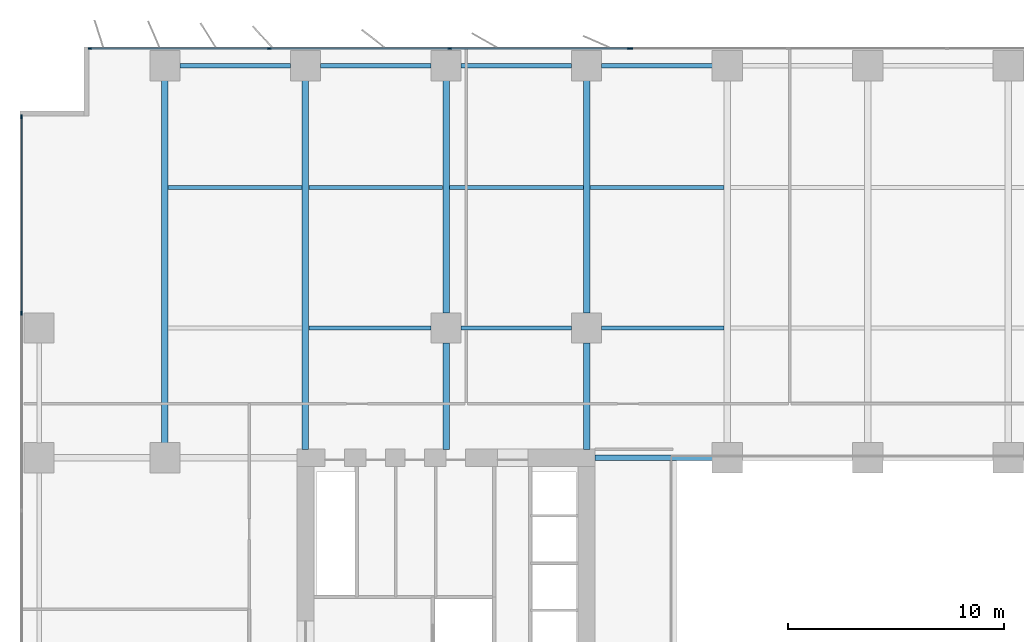
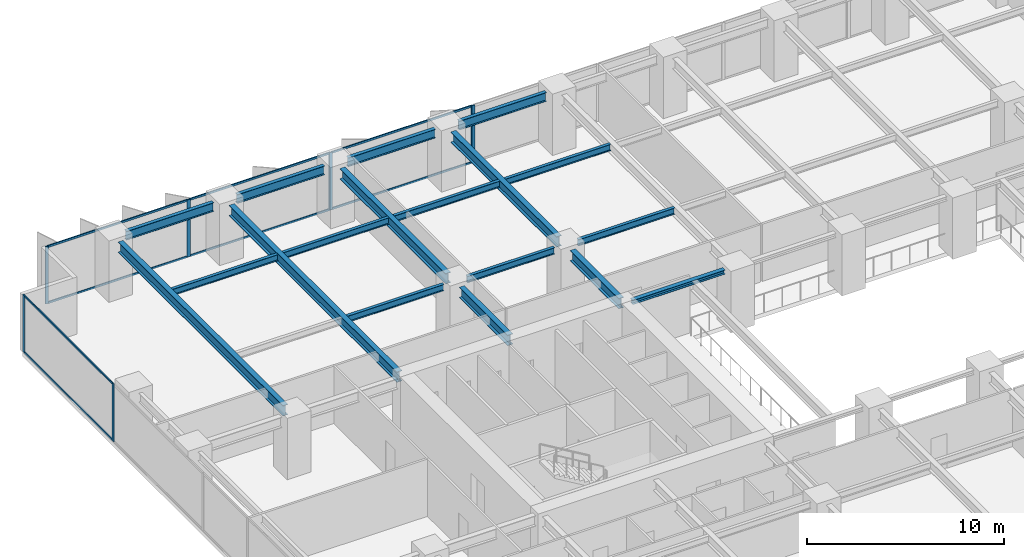
# One storey, part 7 of 20: 18 beams, 15 members, 3 elements without a shape of their own.
"""IFC4 building model written with IfcOpenShell, lengths in metres."""

from ifc_helpers import new_model, si_unit, direction, frame, origin, origin_2d, place, context, subcontext, project, spatial, rectangle, i_section, extrude, material, layer, layer_set, material_profile, profile_set, type_object, element, aggregate, save


model = new_model("IFC4")

# Units and contexts
model_context = context("Model", 3, precision=1e-05, world=origin(), true_north=direction((0.0, 1.0)))
body_context = subcontext(model_context, "Body", "Model", "MODEL_VIEW")
ifc_project = project(units=[si_unit("LENGTHUNIT", "METRE"), si_unit("AREAUNIT", "SQUARE_METRE"), si_unit("VOLUMEUNIT", "CUBIC_METRE"), si_unit("PLANEANGLEUNIT", "RADIAN"), si_unit("MASSUNIT", "GRAM", prefix="KILO")], contexts=[model_context])

# Site, building, storey
site_placement = place(None, origin())
site = spatial("IfcSite", under=ifc_project, at=site_placement, CompositionType="ELEMENT")
building_placement = place(site_placement, origin())
building = spatial("IfcBuilding", under=site, at=building_placement, Name="Putna Gate Headquarters", CompositionType="ELEMENT")
storey_placement = place(building_placement, frame((0.0, 0.0, 46.800048828125)))
storey = spatial("IfcBuildingStorey", under=building, at=storey_placement, Name="L10", CompositionType="ELEMENT", Elevation=46.800048828125)

# Beams
ifc_material_1 = material(Name="Steel S355J2", Category="steel")
ifc_material_profile_1 = material_profile(ifc_material_1, i_section(OverallWidth=0.260009765625, OverallDepth=0.260009765625, WebThickness=0.010009765625, FlangeThickness=0.017578125, at=origin_2d()), Name="Steel S355J2")
ifc_profile_set_1 = profile_set([ifc_material_profile_1], Name="Steel S355J2")
beam_type_1 = type_object("IfcBeamType", Name="BM-ATRIUM-HEB260", PredefinedType="BEAM", material=ifc_profile_set_1)
beam_1_placement = place(storey_placement, frame((26.385009765625, 33.0, 3.419921875), z_axis=(1.0, 0.0, 0.0), x_axis=(0.0, 1.0, 0.0)))
element("IfcBeam", 1, at=beam_1_placement, inside=storey, type_object=beam_type_1, Name="L10 Atrium Edge Beam AN1", PredefinedType="BEAM", context=body_context, shape_type="SweptSolid", body=[
    extrude(i_section(OverallWidth=0.260009765625, OverallDepth=0.260009765625, WebThickness=0.010009765625, FlangeThickness=0.017578125, at=origin_2d()), origin(), (0.0, 0.0, 1.0), 5.427001953125),
])
ifc_material_profile_2 = material_profile(ifc_material_1, i_section(OverallWidth=0.300048828125, OverallDepth=0.64990234375, WebThickness=0.01611328125, FlangeThickness=0.031005859375, at=origin_2d()), Name="Steel S355J2")
ifc_profile_set_2 = profile_set([ifc_material_profile_2], Name="Steel S355J2")
beam_type_2 = type_object("IfcBeamType", Name="BM-GIRD-Z1-HEB650", PredefinedType="USERDEFINED", material=ifc_profile_set_2)
beam_2_placement = place(storey_placement, frame((6.5, 33.68798828125, 3.224853515625), z_axis=(0.0, 1.0, 0.0), x_axis=(-1.0, 0.0, 0.0)))
element("IfcBeam", 2, at=beam_2_placement, inside=storey, type_object=beam_type_2, Name="L10 North Primary Girder X6", ObjectType="GIRDER", PredefinedType="USERDEFINED", context=body_context, shape_type="SweptSolid", body=[
    extrude(i_section(OverallWidth=0.300048828125, OverallDepth=0.64990234375, WebThickness=0.01611328125, FlangeThickness=0.031005859375, at=origin_2d()), origin(), (0.0, 0.0, 1.0), 16.743896484375),
])
beam_3_placement = place(storey_placement, frame((13.0, 33.385009765625, 3.224853515625), z_axis=(0.0, 1.0, 0.0), x_axis=(-1.0, 0.0, 0.0)))
element("IfcBeam", 3, at=beam_3_placement, inside=storey, type_object=beam_type_2, Name="L10 North Primary Girder X13", ObjectType="GIRDER", PredefinedType="USERDEFINED", context=body_context, shape_type="SweptSolid", body=[
    extrude(i_section(OverallWidth=0.300048828125, OverallDepth=0.64990234375, WebThickness=0.01611328125, FlangeThickness=0.031005859375, at=origin_2d()), origin(), (0.0, 0.0, 1.0), 17.046875),
])
beam_4_placement = place(storey_placement, frame((19.5, 33.385009765625, 3.224853515625), z_axis=(0.0, 1.0, 0.0), x_axis=(-1.0, 0.0, 0.0)))
element("IfcBeam", 4, at=beam_4_placement, inside=storey, type_object=beam_type_2, Name="L10 North Primary Girder X19-1", ObjectType="GIRDER", PredefinedType="USERDEFINED", context=body_context, shape_type="SweptSolid", body=[
    extrude(i_section(OverallWidth=0.300048828125, OverallDepth=0.64990234375, WebThickness=0.01611328125, FlangeThickness=0.031005859375, at=origin_2d()), origin(), (0.0, 0.0, 1.0), 4.927001953125),
])
beam_5_placement = place(storey_placement, frame((19.5, 39.68798828125, 3.224853515625), z_axis=(0.0, 1.0, 0.0), x_axis=(-1.0, 0.0, 0.0)))
element("IfcBeam", 5, at=beam_5_placement, inside=storey, type_object=beam_type_2, Name="L10 North Primary Girder X19-2", ObjectType="GIRDER", PredefinedType="USERDEFINED", context=body_context, shape_type="SweptSolid", body=[
    extrude(i_section(OverallWidth=0.300048828125, OverallDepth=0.64990234375, WebThickness=0.01611328125, FlangeThickness=0.031005859375, at=origin_2d()), origin(), (0.0, 0.0, 1.0), 10.743896484375),
])
beam_6_placement = place(storey_placement, frame((26.0, 33.385009765625, 3.224853515625), z_axis=(0.0, 1.0, 0.0), x_axis=(-1.0, 0.0, 0.0)))
element("IfcBeam", 6, at=beam_6_placement, inside=storey, type_object=beam_type_2, Name="L10 North Primary Girder X26-1", ObjectType="GIRDER", PredefinedType="USERDEFINED", context=body_context, shape_type="SweptSolid", body=[
    extrude(i_section(OverallWidth=0.300048828125, OverallDepth=0.64990234375, WebThickness=0.01611328125, FlangeThickness=0.031005859375, at=origin_2d()), origin(), (0.0, 0.0, 1.0), 4.927001953125),
])
beam_7_placement = place(storey_placement, frame((26.0, 39.68798828125, 3.224853515625), z_axis=(0.0, 1.0, 0.0), x_axis=(-1.0, 0.0, 0.0)))
element("IfcBeam", 7, at=beam_7_placement, inside=storey, type_object=beam_type_2, Name="L10 North Primary Girder X26-2", ObjectType="GIRDER", PredefinedType="USERDEFINED", context=body_context, shape_type="SweptSolid", body=[
    extrude(i_section(OverallWidth=0.300048828125, OverallDepth=0.64990234375, WebThickness=0.01611328125, FlangeThickness=0.031005859375, at=origin_2d()), origin(), (0.0, 0.0, 1.0), 10.743896484375),
])
ifc_material_profile_3 = material_profile(ifc_material_1, i_section(OverallWidth=0.179931640625, OverallDepth=0.39990234375, WebThickness=0.008544921875, FlangeThickness=0.013427734375, at=origin_2d()), Name="Steel S355J2")
ifc_profile_set_3 = profile_set([ifc_material_profile_3], Name="Steel S355J2")
beam_type_3 = type_object("IfcBeamType", Name="BM-SEC-Z1-IPE400", PredefinedType="BEAM", material=ifc_profile_set_3)
beam_8_placement = place(storey_placement, frame((6.654052734375, 45.5, 3.349853515625), z_axis=(1.0, 0.0, 0.0), x_axis=(0.0, 1.0, 0.0)))
element("IfcBeam", 8, at=beam_8_placement, inside=storey, type_object=beam_type_3, Name="L10 North Secondary Beam 1", PredefinedType="BEAM", context=body_context, shape_type="SweptSolid", body=[
    extrude(i_section(OverallWidth=0.179931640625, OverallDepth=0.39990234375, WebThickness=0.008544921875, FlangeThickness=0.013427734375, at=origin_2d()), origin(), (0.0, 0.0, 1.0), 6.19189453125),
])
beam_9_placement = place(storey_placement, frame((13.154052734375, 39.0, 3.349853515625), z_axis=(1.0, 0.0, 0.0), x_axis=(0.0, 1.0, 0.0)))
element("IfcBeam", 9, at=beam_9_placement, inside=storey, type_object=beam_type_3, Name="L10 North Secondary Beam 2", PredefinedType="BEAM", context=body_context, shape_type="SweptSolid", body=[
    extrude(i_section(OverallWidth=0.179931640625, OverallDepth=0.39990234375, WebThickness=0.008544921875, FlangeThickness=0.013427734375, at=origin_2d()), origin(), (0.0, 0.0, 1.0), 5.657958984375),
])
beam_10_placement = place(storey_placement, frame((13.154052734375, 45.5, 3.349853515625), z_axis=(1.0, 0.0, 0.0), x_axis=(0.0, 1.0, 0.0)))
element("IfcBeam", 10, at=beam_10_placement, inside=storey, type_object=beam_type_3, Name="L10 North Secondary Beam 2", PredefinedType="BEAM", context=body_context, shape_type="SweptSolid", body=[
    extrude(i_section(OverallWidth=0.179931640625, OverallDepth=0.39990234375, WebThickness=0.008544921875, FlangeThickness=0.013427734375, at=origin_2d()), origin(), (0.0, 0.0, 1.0), 6.19189453125),
])
beam_11_placement = place(storey_placement, frame((20.18798828125, 39.0, 3.349853515625), z_axis=(1.0, 0.0, 0.0), x_axis=(0.0, 1.0, 0.0)))
element("IfcBeam", 11, at=beam_11_placement, inside=storey, type_object=beam_type_3, Name="L10 North Secondary Beam 3", PredefinedType="BEAM", context=body_context, shape_type="SweptSolid", body=[
    extrude(i_section(OverallWidth=0.179931640625, OverallDepth=0.39990234375, WebThickness=0.008544921875, FlangeThickness=0.013427734375, at=origin_2d()), origin(), (0.0, 0.0, 1.0), 5.1240234375),
])
beam_12_placement = place(storey_placement, frame((19.654052734375, 45.5, 3.349853515625), z_axis=(1.0, 0.0, 0.0), x_axis=(0.0, 1.0, 0.0)))
element("IfcBeam", 12, at=beam_12_placement, inside=storey, type_object=beam_type_3, Name="L10 North Secondary Beam 3", PredefinedType="BEAM", context=body_context, shape_type="SweptSolid", body=[
    extrude(i_section(OverallWidth=0.179931640625, OverallDepth=0.39990234375, WebThickness=0.008544921875, FlangeThickness=0.013427734375, at=origin_2d()), origin(), (0.0, 0.0, 1.0), 6.19189453125),
])
beam_13_placement = place(storey_placement, frame((26.68798828125, 39.0, 3.349853515625), z_axis=(1.0, 0.0, 0.0), x_axis=(0.0, 1.0, 0.0)))
element("IfcBeam", 13, at=beam_13_placement, inside=storey, type_object=beam_type_3, Name="L10 North Secondary Beam 4", PredefinedType="BEAM", context=body_context, shape_type="SweptSolid", body=[
    extrude(i_section(OverallWidth=0.179931640625, OverallDepth=0.39990234375, WebThickness=0.008544921875, FlangeThickness=0.013427734375, at=origin_2d()), origin(), (0.0, 0.0, 1.0), 5.657958984375),
])
beam_14_placement = place(storey_placement, frame((26.154052734375, 45.5, 3.349853515625), z_axis=(1.0, 0.0, 0.0), x_axis=(0.0, 1.0, 0.0)))
element("IfcBeam", 14, at=beam_14_placement, inside=storey, type_object=beam_type_3, Name="L10 North Secondary Beam 4", PredefinedType="BEAM", context=body_context, shape_type="SweptSolid", body=[
    extrude(i_section(OverallWidth=0.179931640625, OverallDepth=0.39990234375, WebThickness=0.008544921875, FlangeThickness=0.013427734375, at=origin_2d()), origin(), (0.0, 0.0, 1.0), 6.19189453125),
])
ifc_material_profile_4 = material_profile(ifc_material_1, i_section(OverallWidth=0.2099609375, OverallDepth=0.550048828125, WebThickness=0.010986328125, FlangeThickness=0.01708984375, at=origin_2d()), Name="Steel S355J2")
ifc_profile_set_4 = profile_set([ifc_material_profile_4], Name="Steel S355J2")
beam_type_4 = type_object("IfcBeamType", Name="BM-SPAN-Z1-IPE550", PredefinedType="SPANDREL", material=ifc_profile_set_4)
for number, where, z_axis, x_axis, name in (
    (15, (7.18798828125, 51.1201171875, 3.27490234375), (1.0, 0.0, 0.0), (0.0, 1.0, 0.0), "L10 N Perimeter Spandrel 1"),
    (16, (13.68798828125, 51.1201171875, 3.27490234375), (1.0, 0.0, 0.0), (0.0, 1.0, 0.0), "L10 N Perimeter Spandrel 2"),
    (17, (20.18798828125, 51.1201171875, 3.27490234375), (1.0, 0.0, 0.0), (0.0, 1.0, 0.0), "L10 N Perimeter Spandrel 3"),
    (18, (26.68798828125, 51.1201171875, 3.27490234375), (1.0, 0.0, 0.0), (0.0, 1.0, 0.0), "L10 N Perimeter Spandrel 4"),
):
    element("IfcBeam", number, at=place(storey_placement, frame(where, z_axis=z_axis, x_axis=x_axis)), inside=storey, type_object=beam_type_4, Name=name, PredefinedType="SPANDREL", context=body_context, shape_type="SweptSolid", body=[
        extrude(i_section(OverallWidth=0.2099609375, OverallDepth=0.550048828125, WebThickness=0.010986328125, FlangeThickness=0.01708984375, at=origin_2d()), origin(), (0.0, 0.0, 1.0), 5.1240234375),
    ])

# Curtain wall, members
ifc_material_2 = material(Name="Anodised bronze aluminium curtain wall", Category="aluminium")
ifc_layer_1 = layer(ifc_material_2, 0.179931640625)
ifc_layer_set_1 = layer_set([ifc_layer_1], Name="Anodised bronze aluminium curtain wall")
curtain_wall_type_1 = type_object("IfcCurtainWallType", Name="CW-SYS-Z1", PredefinedType="USERDEFINED", material=ifc_layer_set_1)
curtain_wall_1_placement = place(storey_placement, origin())
curtain_wall_1 = element("IfcCurtainWall", 19, at=curtain_wall_1_placement, inside=storey, type_object=curtain_wall_type_1, Name="L10 North West Curtain Wall", ObjectType="STICK CURTAIN WALL", PredefinedType="USERDEFINED")
ifc_material_3 = material(Name="Anodised bronze aluminium EN AW-6060", Category="aluminium")
ifc_material_profile_5 = material_profile(ifc_material_3, rectangle(XDim=0.070068359375, YDim=0.179931640625, at=origin_2d()), Name="Anodised bronze aluminium EN AW-6060")
ifc_profile_set_5 = profile_set([ifc_material_profile_5], Name="Anodised bronze aluminium EN AW-6060")
member_type_1 = type_object("IfcMemberType", Name="MULL-CWM-1", PredefinedType="MULLION", material=ifc_profile_set_5)
member_1_placement = place(storey_placement, frame((3.034912109375, 51.919921875, 0.0), z_axis=(0.0, 0.0, 1.0), x_axis=(0.0, 1.0, 0.0)))
member_1 = element("IfcMember", 20, at=member_1_placement, type_object=member_type_1, Name="CWS-1 mullion 1", PredefinedType="MULLION", context=body_context, shape_type="SweptSolid", body=[
    extrude(rectangle(XDim=0.070068359375, YDim=0.179931640625, at=origin_2d()), origin(), (0.0, 0.0, 1.0), 3.550048828125),
])
member_2_placement = place(storey_placement, frame((11.333251953125, 51.919921875, 0.0), z_axis=(0.0, 0.0, 1.0), x_axis=(0.0, 1.0, 0.0)))
member_2 = element("IfcMember", 21, at=member_2_placement, type_object=member_type_1, Name="CWS-1 mullion 2", PredefinedType="MULLION", context=body_context, shape_type="SweptSolid", body=[
    extrude(rectangle(XDim=0.070068359375, YDim=0.179931640625, at=origin_2d()), origin(), (0.0, 0.0, 1.0), 3.550048828125),
])
member_3_placement = place(storey_placement, frame((19.666748046875, 51.919921875, 0.0), z_axis=(0.0, 0.0, 1.0), x_axis=(0.0, 1.0, 0.0)))
member_3 = element("IfcMember", 22, at=member_3_placement, type_object=member_type_1, Name="CWS-1 mullion 3", PredefinedType="MULLION", context=body_context, shape_type="SweptSolid", body=[
    extrude(rectangle(XDim=0.070068359375, YDim=0.179931640625, at=origin_2d()), origin(), (0.0, 0.0, 1.0), 3.550048828125),
])
member_4_placement = place(storey_placement, frame((27.965087890625, 51.919921875, 0.0), z_axis=(0.0, 0.0, 1.0), x_axis=(0.0, 1.0, 0.0)))
member_4 = element("IfcMember", 23, at=member_4_placement, type_object=member_type_1, Name="CWS-1 mullion 4", PredefinedType="MULLION", context=body_context, shape_type="SweptSolid", body=[
    extrude(rectangle(XDim=0.070068359375, YDim=0.179931640625, at=origin_2d()), origin(), (0.0, 0.0, 1.0), 3.550048828125),
])

curtain_wall_2_placement = place(storey_placement, origin())
curtain_wall_2 = element("IfcCurtainWall", 24, at=curtain_wall_2_placement, inside=storey, type_object=curtain_wall_type_1, Name="L10 West Curtain Wall", ObjectType="STICK CURTAIN WALL", PredefinedType="USERDEFINED")
member_5_placement = place(storey_placement, frame((-0.1201171875, 39.679931640625, 0.0), z_axis=(0.0, 0.0, 1.0), x_axis=(-1.0, 0.0, 0.0)))
member_5 = element("IfcMember", 25, at=member_5_placement, type_object=member_type_1, Name="CWS-1 mullion 5", PredefinedType="MULLION", context=body_context, shape_type="SweptSolid", body=[
    extrude(rectangle(XDim=0.070068359375, YDim=0.179931640625, at=origin_2d()), origin(), (0.0, 0.0, 1.0), 3.550048828125),
])
member_6_placement = place(storey_placement, frame((-0.1201171875, 48.764892578125, 0.0), z_axis=(0.0, 0.0, 1.0), x_axis=(-1.0, 0.0, 0.0)))
member_6 = element("IfcMember", 26, at=member_6_placement, type_object=member_type_1, Name="CWS-1 mullion 6", PredefinedType="MULLION", context=body_context, shape_type="SweptSolid", body=[
    extrude(rectangle(XDim=0.070068359375, YDim=0.179931640625, at=origin_2d()), origin(), (0.0, 0.0, 1.0), 3.550048828125),
])

# Curtain wall, member
ifc_layer_2 = layer(ifc_material_2, 0.179931640625)
ifc_layer_set_2 = layer_set([ifc_layer_2], Name="Anodised bronze aluminium curtain wall")
curtain_wall_type_2 = type_object("IfcCurtainWallType", Name="CW-SYS-ATR", PredefinedType="USERDEFINED", material=ifc_layer_set_2)
curtain_wall_3_placement = place(storey_placement, origin())
curtain_wall_3 = element("IfcCurtainWall", 27, at=curtain_wall_3_placement, inside=storey, type_object=curtain_wall_type_2, Name="L10 North Atrium Clear Glazing", ObjectType="ATRIUM GLAZING", PredefinedType="USERDEFINED")
ifc_material_profile_6 = material_profile(ifc_material_3, rectangle(XDim=0.070068359375, YDim=0.179931640625, at=origin_2d()), Name="Anodised bronze aluminium EN AW-6060")
ifc_profile_set_6 = profile_set([ifc_material_profile_6], Name="Anodised bronze aluminium EN AW-6060")
member_type_2 = type_object("IfcMemberType", Name="MULL-CWM-AT", PredefinedType="MULLION", material=ifc_profile_set_6)
member_7_placement = place(storey_placement, frame((28.034912109375, 51.919921875, 0.0), z_axis=(0.0, 0.0, 1.0), x_axis=(0.0, 1.0, 0.0)))
member_7 = element("IfcMember", 28, at=member_7_placement, type_object=member_type_2, Name="CWS-AT mullion 1", PredefinedType="MULLION", context=body_context, shape_type="SweptSolid", body=[
    extrude(rectangle(XDim=0.070068359375, YDim=0.179931640625, at=origin_2d()), origin(), (0.0, 0.0, 1.0), 3.550048828125),
])
aggregate(curtain_wall_3, [member_7])

# Member
ifc_material_profile_7 = material_profile(ifc_material_3, rectangle(XDim=0.06494140625, YDim=0.1201171875, at=origin_2d()), Name="Anodised bronze aluminium EN AW-6060")
ifc_profile_set_7 = profile_set([ifc_material_profile_7], Name="Anodised bronze aluminium EN AW-6060")
member_type_3 = type_object("IfcMemberType", Name="TRAN-CWT-1", PredefinedType="USERDEFINED", material=ifc_profile_set_7)
member_8_placement = place(storey_placement, frame((3.070068359375, 51.919921875, 0.032470703125), z_axis=(1.0, 0.0, 0.0), x_axis=(0.0, 1.0, 0.0)))
member_8 = element("IfcMember", 29, at=member_8_placement, type_object=member_type_3, Name="CWS-1 transom 1.1", ObjectType="TRANSOM", PredefinedType="USERDEFINED", context=body_context, shape_type="SweptSolid", body=[
    extrude(rectangle(XDim=0.06494140625, YDim=0.1201171875, at=origin_2d()), origin(), (0.0, 0.0, 1.0), 8.228271484375),
])

member_9_placement = place(storey_placement, frame((3.070068359375, 51.919921875, 3.517333984375), z_axis=(1.0, 0.0, 0.0), x_axis=(0.0, 1.0, 0.0)))
member_9 = element("IfcMember", 30, at=member_9_placement, type_object=member_type_3, Name="CWS-1 transom 1.2", ObjectType="TRANSOM", PredefinedType="USERDEFINED", context=body_context, shape_type="SweptSolid", body=[
    extrude(rectangle(XDim=0.06494140625, YDim=0.1201171875, at=origin_2d()), origin(), (0.0, 0.0, 1.0), 8.228271484375),
])

member_10_placement = place(storey_placement, frame((11.368408203125, 51.919921875, 0.032470703125), z_axis=(1.0, 0.0, 0.0), x_axis=(0.0, 1.0, 0.0)))
member_10 = element("IfcMember", 31, at=member_10_placement, type_object=member_type_3, Name="CWS-1 transom 2.1", ObjectType="TRANSOM", PredefinedType="USERDEFINED", context=body_context, shape_type="SweptSolid", body=[
    extrude(rectangle(XDim=0.06494140625, YDim=0.1201171875, at=origin_2d()), origin(), (0.0, 0.0, 1.0), 8.26318359375),
])

member_11_placement = place(storey_placement, frame((11.368408203125, 51.919921875, 3.517333984375), z_axis=(1.0, 0.0, 0.0), x_axis=(0.0, 1.0, 0.0)))
member_11 = element("IfcMember", 32, at=member_11_placement, type_object=member_type_3, Name="CWS-1 transom 2.2", ObjectType="TRANSOM", PredefinedType="USERDEFINED", context=body_context, shape_type="SweptSolid", body=[
    extrude(rectangle(XDim=0.06494140625, YDim=0.1201171875, at=origin_2d()), origin(), (0.0, 0.0, 1.0), 8.26318359375),
])

member_12_placement = place(storey_placement, frame((19.70166015625, 51.919921875, 0.032470703125), z_axis=(1.0, 0.0, 0.0), x_axis=(0.0, 1.0, 0.0)))
member_12 = element("IfcMember", 33, at=member_12_placement, type_object=member_type_3, Name="CWS-1 transom 3.1", ObjectType="TRANSOM", PredefinedType="USERDEFINED", context=body_context, shape_type="SweptSolid", body=[
    extrude(rectangle(XDim=0.06494140625, YDim=0.1201171875, at=origin_2d()), origin(), (0.0, 0.0, 1.0), 8.228271484375),
])

member_13_placement = place(storey_placement, frame((19.70166015625, 51.919921875, 3.517333984375), z_axis=(1.0, 0.0, 0.0), x_axis=(0.0, 1.0, 0.0)))
member_13 = element("IfcMember", 34, at=member_13_placement, type_object=member_type_3, Name="CWS-1 transom 3.2", ObjectType="TRANSOM", PredefinedType="USERDEFINED", context=body_context, shape_type="SweptSolid", body=[
    extrude(rectangle(XDim=0.06494140625, YDim=0.1201171875, at=origin_2d()), origin(), (0.0, 0.0, 1.0), 8.228271484375),
])

aggregate(curtain_wall_1, [member_1, member_2, member_3, member_4, member_8, member_9, member_10, member_11, member_12, member_13])

member_14_placement = place(storey_placement, frame((-0.1201171875, 39.715087890625, 0.032470703125), z_axis=(0.0, 1.0, 0.0), x_axis=(-1.0, 0.0, 0.0)))
member_14 = element("IfcMember", 35, at=member_14_placement, type_object=member_type_3, Name="CWS-1 transom 5.1", ObjectType="TRANSOM", PredefinedType="USERDEFINED", context=body_context, shape_type="SweptSolid", body=[
    extrude(rectangle(XDim=0.06494140625, YDim=0.1201171875, at=origin_2d()), origin(), (0.0, 0.0, 1.0), 9.014892578125),
])

member_15_placement = place(storey_placement, frame((-0.1201171875, 39.715087890625, 3.517333984375), z_axis=(0.0, 1.0, 0.0), x_axis=(-1.0, 0.0, 0.0)))
member_15 = element("IfcMember", 36, at=member_15_placement, type_object=member_type_3, Name="CWS-1 transom 5.2", ObjectType="TRANSOM", PredefinedType="USERDEFINED", context=body_context, shape_type="SweptSolid", body=[
    extrude(rectangle(XDim=0.06494140625, YDim=0.1201171875, at=origin_2d()), origin(), (0.0, 0.0, 1.0), 9.014892578125),
])

aggregate(curtain_wall_2, [member_5, member_6, member_14, member_15])

save(model, "model.ifc")
